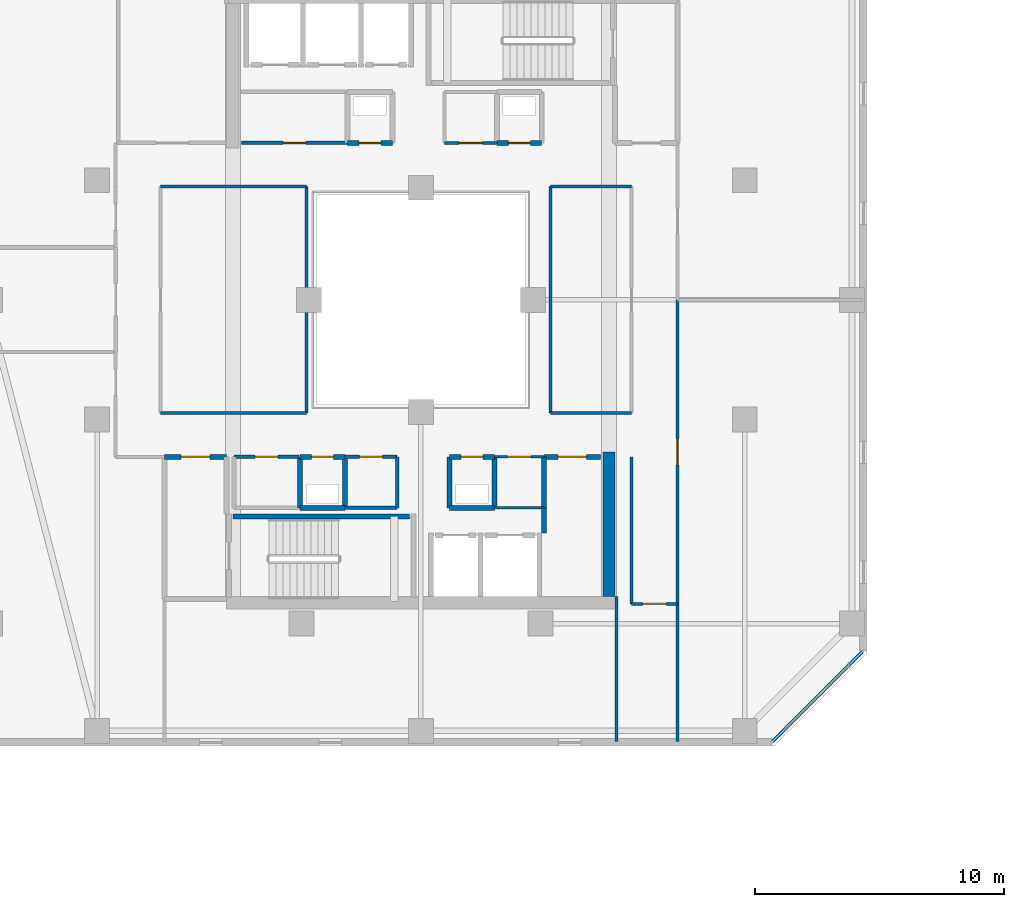
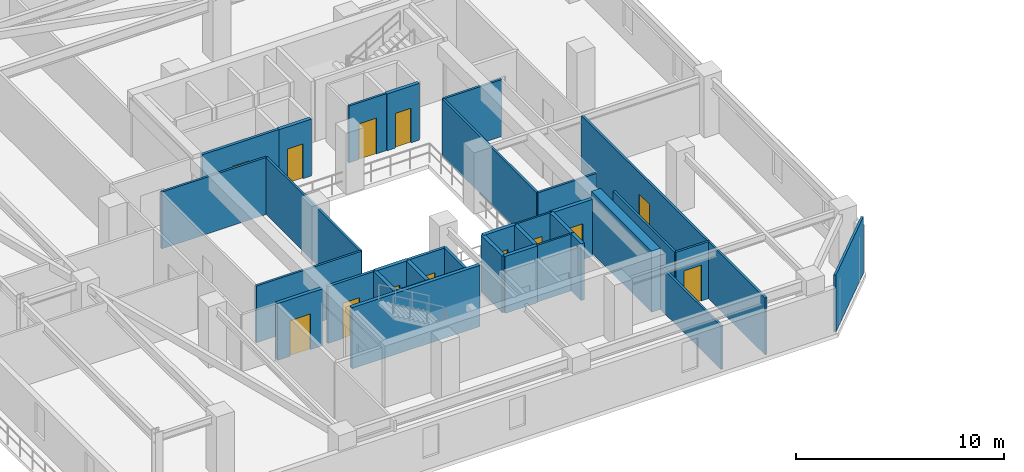
# One storey, part 20 of 33: 36 walls, 13 doors, 13 openings.
"""IFC4 building model written with IfcOpenShell, lengths in metres."""

from ifc_helpers import new_model, si_unit, direction, frame, frame_2d, origin, place, context, subcontext, project, spatial, rectangle, extrude, material, layer, layer_set, type_object, element, fill, save


model = new_model("IFC4")

# Units and contexts
model_context = context("Model", 3, precision=1e-05, world=origin(), true_north=direction((0.0, 1.0)))
body_context = subcontext(model_context, "Body", "Model", "MODEL_VIEW")
ifc_project = project(units=[si_unit("LENGTHUNIT", "METRE"), si_unit("AREAUNIT", "SQUARE_METRE"), si_unit("VOLUMEUNIT", "CUBIC_METRE"), si_unit("PLANEANGLEUNIT", "RADIAN"), si_unit("MASSUNIT", "GRAM", prefix="KILO")], contexts=[model_context])

# Site, building, storey
site_placement = place(None, origin())
site = spatial("IfcSite", under=ifc_project, at=site_placement, CompositionType="ELEMENT")
building_placement = place(site_placement, origin())
building = spatial("IfcBuilding", under=site, at=building_placement, Name="Thornwick Lancets Civic Towers", CompositionType="ELEMENT")
storey_placement = place(building_placement, frame((0.0, 0.0, 207.300048828125)))
storey = spatial("IfcBuildingStorey", under=building, at=storey_placement, Name="L55", CompositionType="ELEMENT", Elevation=207.300048828125)

# Wall, opening, door
ifc_material_1 = material(Name="Concrete blockwork C40/50", Category="masonry")
ifc_layer_1 = layer(ifc_material_1, 0.199951171875, Name="Concrete blockwork C40/50")
ifc_layer_set_1 = layer_set([ifc_layer_1], Name="Concrete blockwork C40/50")
wall_type_1 = type_object("IfcWallType", Name="WALL_COMP_200", PredefinedType="STANDARD", material=ifc_layer_set_1)
wall_1_placement = place(storey_placement, frame((17.699951171875, 20.699951171875, 0.0), z_axis=(0.0, 0.0, 1.0), x_axis=(-1.0, 0.0, 0.0)))
wall_1 = element("IfcWall", 1, at=wall_1_placement, inside=storey, type_object=wall_type_1, Name="L55 Partition L55-A-FFLOB1 E3", PredefinedType="STANDARD", context=body_context, shape_type="SweptSolid", body=[
    extrude(rectangle(XDim=2.5, YDim=0.199951171875, at=frame_2d((1.25, 0.0))), origin(), (0.0, 0.0, 1.0), 3.33984375),
])
opening_1_placement = place(wall_1_placement, frame((0.675048828125, 0.0, 0.0)))
opening_1 = element("IfcOpeningElement", 2, at=opening_1_placement, cuts=wall_1, Name="Opening D-L55-2433", PredefinedType="OPENING", context=body_context, shape_type="SweptSolid", body=[
    extrude(rectangle(XDim=1.14990234375, YDim=2.10009765625, at=frame_2d((0.574951171875, 1.050048828125))), frame((0.0, 0.10986328125, 0.0), z_axis=(0.0, -1.0, 0.0), x_axis=(1.0, 0.0, 0.0)), (0.0, 0.0, 1.0), 0.219970703125),
])
ifc_material_2 = material(Name="Glazed fire-resisting steel", Category="steel")
door_type_1 = type_object("IfcDoorType", Name="DOOR_LOBBY_FD60", OperationType="NOTDEFINED", PredefinedType="DOOR", material=ifc_material_2)
door_1_placement = place(opening_1_placement, origin())
door_1 = element("IfcDoor", 3, at=door_1_placement, inside=storey, type_object=door_type_1, Name="L55 South Firefighting Lobby 1 Door", OperationType="SINGLE_SWING_RIGHT", OverallHeight=2.10009765625, OverallWidth=1.14990234375, PredefinedType="DOOR", context=body_context, shape_type="SweptSolid", body=[
    extrude(rectangle(XDim=1.14990234375, YDim=2.10009765625, at=frame_2d((0.574951171875, 1.050048828125))), frame((0.0, 0.02490234375, 0.0), z_axis=(0.0, -1.0, 0.0), x_axis=(1.0, 0.0, 0.0)), (0.0, 0.0, 1.0), 0.050048828125),
])
fill(opening_1, door_1)

# Walls
wall_2_placement = place(storey_placement, frame((26.64990234375, 18.64990234375, 0.0), z_axis=(0.0, 0.0, 1.0), x_axis=(1.0, 0.0, 0.0)))
element("IfcWall", 4, at=wall_2_placement, inside=storey, type_object=wall_type_1, Name="L55 Partition L55-A-DUCT1 E1", PredefinedType="STANDARD", context=body_context, shape_type="SweptSolid", body=[
    extrude(rectangle(XDim=1.800048828125, YDim=0.199951171875, at=frame_2d((0.89990234375, 0.0))), origin(), (0.0, 0.0, 1.0), 3.33984375),
])
wall_3_placement = place(storey_placement, frame((28.449951171875, 18.64990234375, 0.0), z_axis=(0.0, 0.0, 1.0), x_axis=(0.0, 1.0, 0.0)))
element("IfcWall", 5, at=wall_3_placement, inside=storey, type_object=wall_type_1, Name="L55 Partition L55-A-DUCT1 E2", PredefinedType="STANDARD", context=body_context, shape_type="SweptSolid", body=[
    extrude(rectangle(XDim=2.050048828125, YDim=0.199951171875, at=frame_2d((1.02490234375, 0.0))), origin(), (0.0, 0.0, 1.0), 3.33984375),
])

# Wall, opening, door
wall_4_placement = place(storey_placement, frame((28.449951171875, 20.699951171875, 0.0), z_axis=(0.0, 0.0, 1.0), x_axis=(-1.0, 0.0, 0.0)))
wall_4 = element("IfcWall", 6, at=wall_4_placement, inside=storey, type_object=wall_type_1, Name="L55 Partition L55-A-DUCT1 E3", PredefinedType="STANDARD", context=body_context, shape_type="SweptSolid", body=[
    extrude(rectangle(XDim=1.800048828125, YDim=0.199951171875, at=frame_2d((0.89990234375, 0.0))), origin(), (0.0, 0.0, 1.0), 3.33984375),
])
opening_2_placement = place(wall_4_placement, frame((0.4599609375, 0.0, 0.0)))
opening_2 = element("IfcOpeningElement", 7, at=opening_2_placement, cuts=wall_4, Name="Opening D-L55-2435", PredefinedType="OPENING", context=body_context, shape_type="SweptSolid", body=[
    extrude(rectangle(XDim=0.8798828125, YDim=2.0400390625, at=frame_2d((0.43994140625, 1.02001953125))), frame((0.0, 0.10986328125, 0.0), z_axis=(0.0, -1.0, 0.0), x_axis=(1.0, 0.0, 0.0)), (0.0, 0.0, 1.0), 0.219970703125),
])
ifc_material_3 = material(Name="Steel riser access doorset", Category="steel")
door_type_2 = type_object("IfcDoorType", Name="DOOR_RISER_850", OperationType="NOTDEFINED", PredefinedType="DOOR", material=ifc_material_3)
door_2_placement = place(opening_2_placement, origin())
door_2 = element("IfcDoor", 8, at=door_2_placement, inside=storey, type_object=door_type_2, Name="L55 South Service Duct 1 Door", OperationType="SINGLE_SWING_RIGHT", OverallHeight=2.0400390625, OverallWidth=0.8798828125, PredefinedType="DOOR", context=body_context, shape_type="SweptSolid", body=[
    extrude(rectangle(XDim=0.8798828125, YDim=2.0400390625, at=frame_2d((0.43994140625, 1.02001953125))), frame((0.0, 0.02490234375, 0.0), z_axis=(0.0, -1.0, 0.0), x_axis=(1.0, 0.0, 0.0)), (0.0, 0.0, 1.0), 0.050048828125),
])
fill(opening_2, door_2)

# Walls
wall_5_placement = place(storey_placement, frame((26.64990234375, 20.699951171875, 0.0), z_axis=(0.0, 0.0, 1.0), x_axis=(0.0, -1.0, 0.0)))
element("IfcWall", 9, at=wall_5_placement, inside=storey, type_object=wall_type_1, Name="L55 Partition L55-A-DUCT1 E4", PredefinedType="STANDARD", context=body_context, shape_type="SweptSolid", body=[
    extrude(rectangle(XDim=2.050048828125, YDim=0.199951171875, at=frame_2d((1.02490234375, 0.0))), origin(), (0.0, 0.0, 1.0), 3.33984375),
])
wall_6_placement = place(storey_placement, frame((20.64990234375, 18.64990234375, 0.0), z_axis=(0.0, 0.0, 1.0), x_axis=(1.0, 0.0, 0.0)))
element("IfcWall", 10, at=wall_6_placement, inside=storey, type_object=wall_type_1, Name="L55 Partition L55-A-RISER1 E1", PredefinedType="STANDARD", context=body_context, shape_type="SweptSolid", body=[
    extrude(rectangle(XDim=1.800048828125, YDim=0.199951171875, at=frame_2d((0.89990234375, 0.0))), origin(), (0.0, 0.0, 1.0), 3.33984375),
])
wall_7_placement = place(storey_placement, frame((22.449951171875, 18.64990234375, 0.0), z_axis=(0.0, 0.0, 1.0), x_axis=(0.0, 1.0, 0.0)))
element("IfcWall", 11, at=wall_7_placement, inside=storey, type_object=wall_type_1, Name="L55 Partition L55-A-RISER1 E2", PredefinedType="STANDARD", context=body_context, shape_type="SweptSolid", body=[
    extrude(rectangle(XDim=2.050048828125, YDim=0.199951171875, at=frame_2d((1.02490234375, 0.0))), origin(), (0.0, 0.0, 1.0), 3.33984375),
])

# Wall, opening, door
wall_8_placement = place(storey_placement, frame((22.449951171875, 20.699951171875, 0.0), z_axis=(0.0, 0.0, 1.0), x_axis=(-1.0, 0.0, 0.0)))
wall_8 = element("IfcWall", 12, at=wall_8_placement, inside=storey, type_object=wall_type_1, Name="L55 Partition L55-A-RISER1 E3", PredefinedType="STANDARD", context=body_context, shape_type="SweptSolid", body=[
    extrude(rectangle(XDim=1.800048828125, YDim=0.199951171875, at=frame_2d((0.89990234375, 0.0))), origin(), (0.0, 0.0, 1.0), 3.33984375),
])
opening_3_placement = place(wall_8_placement, frame((0.4599609375, 0.0, 0.0)))
opening_3 = element("IfcOpeningElement", 13, at=opening_3_placement, cuts=wall_8, Name="Opening D-L55-2436", PredefinedType="OPENING", context=body_context, shape_type="SweptSolid", body=[
    extrude(rectangle(XDim=0.8798828125, YDim=2.0400390625, at=frame_2d((0.43994140625, 1.02001953125))), frame((0.0, 0.10986328125, 0.0), z_axis=(0.0, -1.0, 0.0), x_axis=(1.0, 0.0, 0.0)), (0.0, 0.0, 1.0), 0.219970703125),
])
door_3_placement = place(opening_3_placement, origin())
door_3 = element("IfcDoor", 14, at=door_3_placement, inside=storey, type_object=door_type_2, Name="L55 South Electrical Riser 1 Door", OperationType="SINGLE_SWING_LEFT", OverallHeight=2.0400390625, OverallWidth=0.8798828125, PredefinedType="DOOR", context=body_context, shape_type="SweptSolid", body=[
    extrude(rectangle(XDim=0.8798828125, YDim=2.0400390625, at=frame_2d((0.43994140625, 1.02001953125))), frame((0.0, 0.02490234375, 0.0), z_axis=(0.0, -1.0, 0.0), x_axis=(1.0, 0.0, 0.0)), (0.0, 0.0, 1.0), 0.050048828125),
])
fill(opening_3, door_3)

# Wall
wall_9_placement = place(storey_placement, frame((20.64990234375, 20.699951171875, 0.0), z_axis=(0.0, 0.0, 1.0), x_axis=(0.0, -1.0, 0.0)))
element("IfcWall", 15, at=wall_9_placement, inside=storey, type_object=wall_type_1, Name="L55 Partition L55-A-RISER1 E4", PredefinedType="STANDARD", context=body_context, shape_type="SweptSolid", body=[
    extrude(rectangle(XDim=2.050048828125, YDim=0.199951171875, at=frame_2d((1.02490234375, 0.0))), origin(), (0.0, 0.0, 1.0), 3.33984375),
])

# Wall, opening, door
wall_10_placement = place(storey_placement, frame((22.550048828125, 33.300048828125, 0.0), z_axis=(0.0, 0.0, 1.0), x_axis=(1.0, 0.0, 0.0)))
wall_10 = element("IfcWall", 16, at=wall_10_placement, inside=storey, type_object=wall_type_1, Name="L55 Partition L55-A-DUCT2 E1", PredefinedType="STANDARD", context=body_context, shape_type="SweptSolid", body=[
    extrude(rectangle(XDim=1.800048828125, YDim=0.199951171875, at=frame_2d((0.89990234375, 0.0))), origin(), (0.0, 0.0, 1.0), 3.33984375),
])
opening_4_placement = place(wall_10_placement, frame((0.4599609375, 0.0, 0.0)))
opening_4 = element("IfcOpeningElement", 17, at=opening_4_placement, cuts=wall_10, Name="Opening D-L55-2437", PredefinedType="OPENING", context=body_context, shape_type="SweptSolid", body=[
    extrude(rectangle(XDim=0.8798828125, YDim=2.0400390625, at=frame_2d((0.43994140625, 1.02001953125))), frame((0.0, 0.10986328125, 0.0), z_axis=(0.0, -1.0, 0.0), x_axis=(1.0, 0.0, 0.0)), (0.0, 0.0, 1.0), 0.219970703125),
])
door_4_placement = place(opening_4_placement, origin())
door_4 = element("IfcDoor", 18, at=door_4_placement, inside=storey, type_object=door_type_2, Name="L55 North Service Duct 2 Door", OperationType="SINGLE_SWING_RIGHT", OverallHeight=2.0400390625, OverallWidth=0.8798828125, PredefinedType="DOOR", context=body_context, shape_type="SweptSolid", body=[
    extrude(rectangle(XDim=0.8798828125, YDim=2.0400390625, at=frame_2d((0.43994140625, 1.02001953125))), frame((0.0, 0.02490234375, 0.0), z_axis=(0.0, -1.0, 0.0), x_axis=(1.0, 0.0, 0.0)), (0.0, 0.0, 1.0), 0.050048828125),
])
fill(opening_4, door_4)

wall_11_placement = place(storey_placement, frame((28.550048828125, 33.300048828125, 0.0), z_axis=(0.0, 0.0, 1.0), x_axis=(1.0, 0.0, 0.0)))
wall_11 = element("IfcWall", 19, at=wall_11_placement, inside=storey, type_object=wall_type_1, Name="L55 Partition L55-A-RISER2 E1", PredefinedType="STANDARD", context=body_context, shape_type="SweptSolid", body=[
    extrude(rectangle(XDim=1.800048828125, YDim=0.199951171875, at=frame_2d((0.89990234375, 0.0))), origin(), (0.0, 0.0, 1.0), 3.33984375),
])
opening_5_placement = place(wall_11_placement, frame((0.4599609375, 0.0, 0.0)))
opening_5 = element("IfcOpeningElement", 20, at=opening_5_placement, cuts=wall_11, Name="Opening D-L55-2438", PredefinedType="OPENING", context=body_context, shape_type="SweptSolid", body=[
    extrude(rectangle(XDim=0.8798828125, YDim=2.0400390625, at=frame_2d((0.43994140625, 1.02001953125))), frame((0.0, 0.10986328125, 0.0), z_axis=(0.0, -1.0, 0.0), x_axis=(1.0, 0.0, 0.0)), (0.0, 0.0, 1.0), 0.219970703125),
])
door_5_placement = place(opening_5_placement, origin())
door_5 = element("IfcDoor", 21, at=door_5_placement, inside=storey, type_object=door_type_2, Name="L55 North Service Riser 2 Door", OperationType="SINGLE_SWING_LEFT", OverallHeight=2.0400390625, OverallWidth=0.8798828125, PredefinedType="DOOR", context=body_context, shape_type="SweptSolid", body=[
    extrude(rectangle(XDim=0.8798828125, YDim=2.0400390625, at=frame_2d((0.43994140625, 1.02001953125))), frame((0.0, 0.02490234375, 0.0), z_axis=(0.0, -1.0, 0.0), x_axis=(1.0, 0.0, 0.0)), (0.0, 0.0, 1.0), 0.050048828125),
])
fill(opening_5, door_5)

# Walls
wall_12_placement = place(storey_placement, frame((30.449951171875, 17.64794921875, 0.0), z_axis=(0.0, 0.0, 1.0), x_axis=(0.0, 1.0, 0.0)))
element("IfcWall", 22, at=wall_12_placement, inside=storey, type_object=wall_type_1, Name="L55 Partition L55-A-ITR2 E3", PredefinedType="STANDARD", context=body_context, shape_type="SweptSolid", body=[
    extrude(rectangle(XDim=1.001953125, YDim=0.199951171875, at=frame_2d((0.5009765625, 0.0))), origin(), (0.0, 0.0, 1.0), 3.33984375),
])
wall_13_placement = place(storey_placement, frame((30.449951171875, 18.64990234375, 0.0), z_axis=(0.0, 0.0, 1.0), x_axis=(0.0, 1.0, 0.0)))
element("IfcWall", 23, at=wall_13_placement, inside=storey, type_object=wall_type_1, Name="L55 Partition L55-A-ITR2 E4", PredefinedType="STANDARD", context=body_context, shape_type="SweptSolid", body=[
    extrude(rectangle(XDim=2.050048828125, YDim=0.199951171875, at=frame_2d((1.02490234375, 0.0))), origin(), (0.0, 0.0, 1.0), 3.33984375),
])

# Wall, opening, door
wall_14_placement = place(storey_placement, frame((30.449951171875, 20.699951171875, 0.0), z_axis=(0.0, 0.0, 1.0), x_axis=(1.0, 0.0, 0.0)))
wall_14 = element("IfcWall", 24, at=wall_14_placement, inside=storey, type_object=wall_type_1, Name="L55 Partition L55-A-ITR2 E5", PredefinedType="STANDARD", context=body_context, shape_type="SweptSolid", body=[
    extrude(rectangle(XDim=2.25, YDim=0.199951171875, at=frame_2d((1.125, 0.0))), origin(), (0.0, 0.0, 1.0), 3.33984375),
])
opening_6_placement = place(wall_14_placement, frame((0.550048828125, 0.0, 0.0)))
opening_6 = element("IfcOpeningElement", 25, at=opening_6_placement, cuts=wall_14, Name="Opening D-L55-2442", PredefinedType="OPENING", context=body_context, shape_type="SweptSolid", body=[
    extrude(rectangle(XDim=1.14990234375, YDim=2.10009765625, at=frame_2d((0.574951171875, 1.050048828125))), frame((0.0, 0.10986328125, 0.0), z_axis=(0.0, -1.0, 0.0), x_axis=(1.0, 0.0, 0.0)), (0.0, 0.0, 1.0), 0.219970703125),
])
door_6_placement = place(opening_6_placement, origin())
door_6 = element("IfcDoor", 26, at=door_6_placement, inside=storey, type_object=door_type_1, Name="L55 Tower A Statutory Core Archive Door", OperationType="SINGLE_SWING_LEFT", OverallHeight=2.10009765625, OverallWidth=1.14990234375, PredefinedType="DOOR", context=body_context, shape_type="SweptSolid", body=[
    extrude(rectangle(XDim=1.14990234375, YDim=2.10009765625, at=frame_2d((0.574951171875, 1.050048828125))), frame((0.0, 0.02490234375, 0.0), z_axis=(0.0, -1.0, 0.0), x_axis=(1.0, 0.0, 0.0)), (0.0, 0.0, 1.0), 0.050048828125),
])
fill(opening_6, door_6)

# Walls
ifc_material_4 = material(Name="Concrete C50/60", Category="concrete")
ifc_layer_2 = layer(ifc_material_4, 0.5, Name="Concrete C50/60")
ifc_layer_set_2 = layer_set([ifc_layer_2], Name="Concrete C50/60")
wall_type_2 = type_object("IfcWallType", Name="WALL_CORE_500", PredefinedType="SHEAR", material=ifc_layer_set_2)
wall_15_placement = place(storey_placement, frame((33.050048828125, 15.10009765625, 0.0), z_axis=(0.0, 0.0, 1.0), x_axis=(0.0, 1.0, 0.0)))
element("IfcWall", 27, at=wall_15_placement, inside=storey, type_object=wall_type_2, Name="L55 Split Core A1 Shear Wall E", PredefinedType="SHEAR", context=body_context, shape_type="SweptSolid", body=[
    extrude(rectangle(XDim=5.7998046875, YDim=0.5, at=frame_2d((2.89990234375, 0.0))), origin(), (0.0, 0.0, 1.0), 3.599853515625),
])
ifc_material_5 = material(Name="Lightweight cellular office partition")
ifc_layer_3 = layer(ifc_material_5, 0.10009765625, Name="Lightweight cellular office partition")
ifc_layer_set_3 = layer_set([ifc_layer_3], Name="Lightweight cellular office partition")
wall_type_3 = type_object("IfcWallType", Name="WALL_PART_100", PredefinedType="PARTITIONING", material=ifc_layer_set_3)
wall_16_placement = place(storey_placement, frame((30.449951171875, 18.64990234375, 0.0), z_axis=(0.0, 0.0, 1.0), x_axis=(-1.0, 0.0, 0.0)))
element("IfcWall", 28, at=wall_16_placement, inside=storey, type_object=wall_type_3, Name="L55 Partition L55-A-CLN E2", PredefinedType="PARTITIONING", context=body_context, shape_type="SweptSolid", body=[
    extrude(rectangle(XDim=2.0, YDim=0.10009765625, at=frame_2d((1.0, 0.0))), origin(), (0.0, 0.0, 1.0), 3.33984375),
])

# Wall, opening, door
wall_17_placement = place(storey_placement, frame((28.449951171875, 20.699951171875, 0.0), z_axis=(0.0, 0.0, 1.0), x_axis=(1.0, 0.0, 0.0)))
wall_17 = element("IfcWall", 29, at=wall_17_placement, inside=storey, type_object=wall_type_3, Name="L55 Partition L55-A-CLN E4", PredefinedType="PARTITIONING", context=body_context, shape_type="SweptSolid", body=[
    extrude(rectangle(XDim=2.0, YDim=0.10009765625, at=frame_2d((1.0, 0.0))), origin(), (0.0, 0.0, 1.0), 3.33984375),
])
opening_7_placement = place(wall_17_placement, frame((0.52490234375, 0.0, 0.0)))
opening_7 = element("IfcOpeningElement", 30, at=opening_7_placement, cuts=wall_17, Name="Opening D-L55-2441", PredefinedType="OPENING", context=body_context, shape_type="SweptSolid", body=[
    extrude(rectangle(XDim=0.949951171875, YDim=2.10009765625, at=frame_2d((0.47509765625, 1.050048828125))), frame((0.0, 0.06005859375, 0.0), z_axis=(0.0, -1.0, 0.0), x_axis=(1.0, 0.0, 0.0)), (0.0, 0.0, 1.0), 0.1201171875),
])
ifc_material_6 = material(Name="European oak acoustic doorset")
door_type_3 = type_object("IfcDoorType", Name="DOOR_OFFICE_950", OperationType="NOTDEFINED", PredefinedType="DOOR", material=ifc_material_6)
door_7_placement = place(opening_7_placement, origin())
door_7 = element("IfcDoor", 31, at=door_7_placement, inside=storey, type_object=door_type_3, Name="L55 Tower A Cleaners Store Door", OperationType="SINGLE_SWING_RIGHT", OverallHeight=2.10009765625, OverallWidth=0.949951171875, PredefinedType="DOOR", context=body_context, shape_type="SweptSolid", body=[
    extrude(rectangle(XDim=0.949951171875, YDim=2.10009765625, at=frame_2d((0.47509765625, 1.050048828125))), frame((0.0, 0.02490234375, 0.0), z_axis=(0.0, -1.0, 0.0), x_axis=(1.0, 0.0, 0.0)), (0.0, 0.0, 1.0), 0.050048828125),
])
fill(opening_7, door_7)

ifc_material_7 = material(Name="Acoustic gypsum board partition")
ifc_layer_4 = layer(ifc_material_7, 0.1201171875, Name="Acoustic gypsum board partition")
ifc_layer_set_4 = layer_set([ifc_layer_4], Name="Acoustic gypsum board partition")
wall_type_4 = type_object("IfcWallType", Name="WALL_PART_120", PredefinedType="PARTITIONING", material=ifc_layer_set_4)
wall_18_placement = place(storey_placement, frame((28.550048828125, 33.300048828125, 0.0), z_axis=(0.0, 0.0, 1.0), x_axis=(-1.0, 0.0, 0.0)))
wall_18 = element("IfcWall", 32, at=wall_18_placement, inside=storey, type_object=wall_type_4, Name="L55 Partition L55-A-ITR E4", PredefinedType="PARTITIONING", context=body_context, shape_type="SweptSolid", body=[
    extrude(rectangle(XDim=2.10009765625, YDim=0.1201171875, at=frame_2d((1.050048828125, 0.0))), origin(), (0.0, 0.0, 1.0), 3.33984375),
])
opening_8_placement = place(wall_18_placement, frame((0.574951171875, 0.0, 0.0)))
opening_8 = element("IfcOpeningElement", 33, at=opening_8_placement, cuts=wall_18, Name="Opening D-L55-2444", PredefinedType="OPENING", context=body_context, shape_type="SweptSolid", body=[
    extrude(rectangle(XDim=0.949951171875, YDim=2.10009765625, at=frame_2d((0.47509765625, 1.050048828125))), frame((0.0, 0.070068359375, 0.0), z_axis=(0.0, -1.0, 0.0), x_axis=(1.0, 0.0, 0.0)), (0.0, 0.0, 1.0), 0.14013671875),
])
door_8_placement = place(opening_8_placement, origin())
door_8 = element("IfcDoor", 34, at=door_8_placement, inside=storey, type_object=door_type_3, Name="L55 Tower A Comms Patch Room Door", OperationType="SINGLE_SWING_LEFT", OverallHeight=2.10009765625, OverallWidth=0.949951171875, PredefinedType="DOOR", context=body_context, shape_type="SweptSolid", body=[
    extrude(rectangle(XDim=0.949951171875, YDim=2.10009765625, at=frame_2d((0.47509765625, 1.050048828125))), frame((0.0, 0.02490234375, 0.0), z_axis=(0.0, -1.0, 0.0), x_axis=(1.0, 0.0, 0.0)), (0.0, 0.0, 1.0), 0.050048828125),
])
fill(opening_8, door_8)

# Wall
wall_19_placement = place(storey_placement, frame((33.949951171875, 20.699951171875, 0.0), z_axis=(0.0, 0.0, 1.0), x_axis=(0.0, -1.0, 0.0)))
element("IfcWall", 35, at=wall_19_placement, inside=storey, type_object=wall_type_4, Name="L55 Partition L55-A-RECLAIM-L E2", PredefinedType="PARTITIONING", context=body_context, shape_type="SweptSolid", body=[
    extrude(rectangle(XDim=5.89990234375, YDim=0.1201171875, at=frame_2d((2.949951171875, 0.0))), origin(), (0.0, 0.0, 1.0), 3.33984375),
])

# Wall, opening, door
wall_20_placement = place(storey_placement, frame((33.949951171875, 14.800048828125, 0.0), z_axis=(0.0, 0.0, 1.0), x_axis=(1.0, 0.0, 0.0)))
wall_20 = element("IfcWall", 36, at=wall_20_placement, inside=storey, type_object=wall_type_4, Name="L55 Partition L55-A-RECLAIM-L E3", PredefinedType="PARTITIONING", context=body_context, shape_type="SweptSolid", body=[
    extrude(rectangle(XDim=1.85009765625, YDim=0.1201171875, at=frame_2d((0.925048828125, 0.0))), origin(), (0.0, 0.0, 1.0), 3.33984375),
])
opening_9_placement = place(wall_20_placement, frame((0.449951171875, 0.0, 0.0)))
opening_9 = element("IfcOpeningElement", 37, at=opening_9_placement, cuts=wall_20, Name="Opening D-L55-2457", PredefinedType="OPENING", context=body_context, shape_type="SweptSolid", body=[
    extrude(rectangle(XDim=0.949951171875, YDim=2.10009765625, at=frame_2d((0.47509765625, 1.050048828125))), frame((0.0, 0.070068359375, 0.0), z_axis=(0.0, -1.0, 0.0), x_axis=(1.0, 0.0, 0.0)), (0.0, 0.0, 1.0), 0.14013671875),
])
door_9_placement = place(opening_9_placement, origin())
door_9 = element("IfcDoor", 38, at=door_9_placement, inside=storey, type_object=door_type_3, Name="L55 Tower A Parliamentary Drafting Library Door", OperationType="SINGLE_SWING_RIGHT", OverallHeight=2.10009765625, OverallWidth=0.949951171875, PredefinedType="DOOR", context=body_context, shape_type="SweptSolid", body=[
    extrude(rectangle(XDim=0.949951171875, YDim=2.10009765625, at=frame_2d((0.47509765625, 1.050048828125))), frame((0.0, 0.02490234375, 0.0), z_axis=(0.0, -1.0, 0.0), x_axis=(1.0, 0.0, 0.0)), (0.0, 0.0, 1.0), 0.050048828125),
])
fill(opening_9, door_9)

# Walls
wall_21_placement = place(storey_placement, frame((35.800048828125, 14.800048828125, 0.0), z_axis=(0.0, 0.0, 1.0), x_axis=(0.0, -1.0, 0.0)))
element("IfcWall", 39, at=wall_21_placement, inside=storey, type_object=wall_type_4, Name="L55 Partition L55-A-RECLAIM-L E4", PredefinedType="PARTITIONING", context=body_context, shape_type="SweptSolid", body=[
    extrude(rectangle(XDim=5.52001953125, YDim=0.1201171875, at=frame_2d((2.760009765625, 0.0))), origin(), (0.0, 0.0, 1.0), 3.33984375),
])
wall_22_placement = place(storey_placement, frame((33.35009765625, 9.280029296875, 0.0), z_axis=(0.0, 0.0, 1.0), x_axis=(0.0, 1.0, 0.0)))
element("IfcWall", 40, at=wall_22_placement, inside=storey, type_object=wall_type_4, Name="L55 Partition L55-A-RECLAIM-L E6", PredefinedType="PARTITIONING", context=body_context, shape_type="SweptSolid", body=[
    extrude(rectangle(XDim=5.820068359375, YDim=0.1201171875, at=frame_2d((2.91015625, 0.0))), origin(), (0.0, 0.0, 1.0), 2.544921875),
])
wall_23_placement = place(storey_placement, frame((15.050048828125, 31.550048828125, 0.0), z_axis=(0.0, 0.0, 1.0), x_axis=(1.0, 0.0, 0.0)))
element("IfcWall", 41, at=wall_23_placement, inside=storey, type_object=wall_type_4, Name="L55 Partition L55-A-W3 E2", PredefinedType="PARTITIONING", context=body_context, shape_type="SweptSolid", body=[
    extrude(rectangle(XDim=5.849853515625, YDim=0.1201171875, at=frame_2d((2.9248046875, 0.0))), origin(), (0.0, 0.0, 1.0), 3.33984375),
])
wall_24_placement = place(storey_placement, frame((20.89990234375, 31.550048828125, 0.0), z_axis=(0.0, 0.0, 1.0), x_axis=(0.0, -1.0, 0.0)))
element("IfcWall", 42, at=wall_24_placement, inside=storey, type_object=wall_type_4, Name="L55 Partition L55-A-W3 E3", PredefinedType="PARTITIONING", context=body_context, shape_type="SweptSolid", body=[
    extrude(rectangle(XDim=9.10009765625, YDim=0.1201171875, at=frame_2d((4.550048828125, 0.0))), origin(), (0.0, 0.0, 1.0), 3.33984375),
])
wall_25_placement = place(storey_placement, frame((20.89990234375, 22.449951171875, 0.0), z_axis=(0.0, 0.0, 1.0), x_axis=(-1.0, 0.0, 0.0)))
element("IfcWall", 43, at=wall_25_placement, inside=storey, type_object=wall_type_4, Name="L55 Partition L55-A-W3 E4", PredefinedType="PARTITIONING", context=body_context, shape_type="SweptSolid", body=[
    extrude(rectangle(XDim=5.849853515625, YDim=0.1201171875, at=frame_2d((2.9248046875, 0.0))), origin(), (0.0, 0.0, 1.0), 3.33984375),
])

# Wall, opening, door
wall_26_placement = place(storey_placement, frame((35.800048828125, 14.800048828125, 0.0), z_axis=(0.0, 0.0, 1.0), x_axis=(0.0, 1.0, 0.0)))
wall_26 = element("IfcWall", 44, at=wall_26_placement, inside=storey, type_object=wall_type_4, Name="L55 Partition L55-A-E1 E3", PredefinedType="PARTITIONING", context=body_context, shape_type="SweptSolid", body=[
    extrude(rectangle(XDim=12.199951171875, YDim=0.1201171875, at=frame_2d((6.10009765625, 0.0))), origin(), (0.0, 0.0, 1.0), 3.33984375),
])
opening_10_placement = place(wall_26_placement, frame((5.574951171875, 0.0, 0.0)))
opening_10 = element("IfcOpeningElement", 45, at=opening_10_placement, cuts=wall_26, Name="Opening D-L55-2463", PredefinedType="OPENING", context=body_context, shape_type="SweptSolid", body=[
    extrude(rectangle(XDim=1.050048828125, YDim=2.10009765625, at=frame_2d((0.52490234375, 1.050048828125))), frame((0.0, 0.070068359375, 0.0), z_axis=(0.0, -1.0, 0.0), x_axis=(1.0, 0.0, 0.0)), (0.0, 0.0, 1.0), 0.14013671875),
])
ifc_material_8 = material(Name="Glazed European oak executive doorset")
door_type_4 = type_object("IfcDoorType", Name="DOOR_OFFICE_1050", OperationType="NOTDEFINED", PredefinedType="DOOR", material=ifc_material_8)
door_10_placement = place(opening_10_placement, origin())
door_10 = element("IfcDoor", 46, at=door_10_placement, inside=storey, type_object=door_type_4, Name="L55 Tower A Secretariat Open Office E1 Door", OperationType="SINGLE_SWING_RIGHT", OverallHeight=2.10009765625, OverallWidth=1.050048828125, PredefinedType="DOOR", context=body_context, shape_type="SweptSolid", body=[
    extrude(rectangle(XDim=1.050048828125, YDim=2.10009765625, at=frame_2d((0.52490234375, 1.050048828125))), frame((0.0, 0.02490234375, 0.0), z_axis=(0.0, -1.0, 0.0), x_axis=(1.0, 0.0, 0.0)), (0.0, 0.0, 1.0), 0.050048828125),
])
fill(opening_10, door_10)

# Walls
wall_27_placement = place(storey_placement, frame((43.219970703125, 12.882568359375, 0.0), z_axis=(0.0, 0.0, 1.0), x_axis=(-0.707106781187, -0.707106781187, 0.0)))
element("IfcWall", 47, at=wall_27_placement, inside=storey, type_object=wall_type_4, Name="L55 Partition L55-A-E1 E6", PredefinedType="PARTITIONING", context=body_context, shape_type="SweptSolid", body=[
    extrude(rectangle(XDim=5.0947265625, YDim=0.1201171875, at=frame_2d((2.54736328125, 0.0))), origin(), (0.0, 0.0, 1.0), 3.33984375),
])
wall_28_placement = place(storey_placement, frame((30.699951171875, 22.449951171875, 0.0), z_axis=(0.0, 0.0, 1.0), x_axis=(0.0, 1.0, 0.0)))
element("IfcWall", 48, at=wall_28_placement, inside=storey, type_object=wall_type_4, Name="L55 Partition L55-A-E-ATRIUM-OFF E1", PredefinedType="PARTITIONING", context=body_context, shape_type="SweptSolid", body=[
    extrude(rectangle(XDim=9.10009765625, YDim=0.1201171875, at=frame_2d((4.550048828125, 0.0))), origin(), (0.0, 0.0, 1.0), 3.33984375),
])
for number, where, z_axis, x_axis, name in (
    (49, (30.699951171875, 31.550048828125, 0.0), (0.0, 0.0, 1.0), (1.0, 0.0, 0.0), "L55 Partition L55-A-E-ATRIUM-OFF E2"),
    (50, (33.949951171875, 22.449951171875, 0.0), (0.0, 0.0, 1.0), (-1.0, 0.0, 0.0), "L55 Partition L55-A-E-ATRIUM-OFF E4"),
):
    element("IfcWall", number, at=place(storey_placement, frame(where, z_axis=z_axis, x_axis=x_axis)), inside=storey, type_object=wall_type_4, Name=name, PredefinedType="PARTITIONING", context=body_context, shape_type="SweptSolid", body=[
        extrude(rectangle(XDim=3.25, YDim=0.1201171875, at=frame_2d((1.625, 0.0))), origin(), (0.0, 0.0, 1.0), 3.33984375),
    ])

# Wall, opening, door
ifc_material_9 = material(Name="Twin-stud acoustic gypsum board")
ifc_layer_5 = layer(ifc_material_9, 0.14990234375, Name="Twin-stud acoustic gypsum board")
ifc_layer_set_5 = layer_set([ifc_layer_5], Name="Twin-stud acoustic gypsum board")
wall_type_5 = type_object("IfcWallType", Name="WALL_PART_150", PredefinedType="PARTITIONING", material=ifc_layer_set_5)
wall_29_placement = place(storey_placement, frame((20.60009765625, 20.699951171875, 0.0), z_axis=(0.0, 0.0, 1.0), x_axis=(-1.0, 0.0, 0.0)))
wall_29 = element("IfcWall", 51, at=wall_29_placement, inside=storey, type_object=wall_type_5, Name="L55 Partition L55-A-MWC E3", PredefinedType="PARTITIONING", context=body_context, shape_type="SweptSolid", body=[
    extrude(rectangle(XDim=2.60009765625, YDim=0.14990234375, at=frame_2d((1.300048828125, 0.0))), origin(), (0.0, 0.0, 1.0), 3.33984375),
])
opening_11_placement = place(wall_29_placement, frame((0.840087890625, 0.0, 0.0)))
opening_11 = element("IfcOpeningElement", 52, at=opening_11_placement, cuts=wall_29, Name="Opening D-L55-2439", PredefinedType="OPENING", context=body_context, shape_type="SweptSolid", body=[
    extrude(rectangle(XDim=0.919921875, YDim=2.080078125, at=frame_2d((0.4599609375, 1.0400390625))), frame((0.0, 0.0849609375, 0.0), z_axis=(0.0, -1.0, 0.0), x_axis=(1.0, 0.0, 0.0)), (0.0, 0.0, 1.0), 0.169921875),
])
ifc_material_10 = material(Name="Moisture-resistant oak doorset")
door_type_5 = type_object("IfcDoorType", Name="DOOR_WC_900", OperationType="NOTDEFINED", PredefinedType="DOOR", material=ifc_material_10)
door_11_placement = place(opening_11_placement, origin())
door_11 = element("IfcDoor", 53, at=door_11_placement, inside=storey, type_object=door_type_5, Name="L55 Tower A Male WC Door", OperationType="SINGLE_SWING_RIGHT", OverallHeight=2.080078125, OverallWidth=0.919921875, PredefinedType="DOOR", context=body_context, shape_type="SweptSolid", body=[
    extrude(rectangle(XDim=0.919921875, YDim=2.080078125, at=frame_2d((0.4599609375, 1.0400390625))), frame((0.0, 0.02490234375, 0.0), z_axis=(0.0, -1.0, 0.0), x_axis=(1.0, 0.0, 0.0)), (0.0, 0.0, 1.0), 0.050048828125),
])
fill(opening_11, door_11)

# Walls
wall_30_placement = place(storey_placement, frame((24.550048828125, 20.699951171875, 0.0), z_axis=(0.0, 0.0, 1.0), x_axis=(0.0, -1.0, 0.0)))
element("IfcWall", 54, at=wall_30_placement, inside=storey, type_object=wall_type_5, Name="L55 Partition L55-A-AWC E1", PredefinedType="PARTITIONING", context=body_context, shape_type="SweptSolid", body=[
    extrude(rectangle(XDim=2.050048828125, YDim=0.14990234375, at=frame_2d((1.02490234375, 0.0))), origin(), (0.0, 0.0, 1.0), 3.33984375),
])
wall_31_placement = place(storey_placement, frame((24.550048828125, 18.64990234375, 0.0), z_axis=(0.0, 0.0, 1.0), x_axis=(-1.0, 0.0, 0.0)))
element("IfcWall", 55, at=wall_31_placement, inside=storey, type_object=wall_type_5, Name="L55 Partition L55-A-AWC E2", PredefinedType="PARTITIONING", context=body_context, shape_type="SweptSolid", body=[
    extrude(rectangle(XDim=2.10009765625, YDim=0.14990234375, at=frame_2d((1.050048828125, 0.0))), origin(), (0.0, 0.0, 1.0), 3.33984375),
])

# Wall, opening, door
wall_32_placement = place(storey_placement, frame((22.449951171875, 20.699951171875, 0.0), z_axis=(0.0, 0.0, 1.0), x_axis=(1.0, 0.0, 0.0)))
wall_32 = element("IfcWall", 56, at=wall_32_placement, inside=storey, type_object=wall_type_5, Name="L55 Partition L55-A-AWC E4", PredefinedType="PARTITIONING", context=body_context, shape_type="SweptSolid", body=[
    extrude(rectangle(XDim=2.10009765625, YDim=0.14990234375, at=frame_2d((1.050048828125, 0.0))), origin(), (0.0, 0.0, 1.0), 3.33984375),
])
opening_12_placement = place(wall_32_placement, frame((0.590087890625, 0.0, 0.0)))
opening_12 = element("IfcOpeningElement", 57, at=opening_12_placement, cuts=wall_32, Name="Opening D-L55-2440", PredefinedType="OPENING", context=body_context, shape_type="SweptSolid", body=[
    extrude(rectangle(XDim=0.919921875, YDim=2.080078125, at=frame_2d((0.4599609375, 1.0400390625))), frame((0.0, 0.0849609375, 0.0), z_axis=(0.0, -1.0, 0.0), x_axis=(1.0, 0.0, 0.0)), (0.0, 0.0, 1.0), 0.169921875),
])
door_12_placement = place(opening_12_placement, origin())
door_12 = element("IfcDoor", 58, at=door_12_placement, inside=storey, type_object=door_type_5, Name="L55 Tower A Accessible WC Door", OperationType="SINGLE_SWING_LEFT", OverallHeight=2.080078125, OverallWidth=0.919921875, PredefinedType="DOOR", context=body_context, shape_type="SweptSolid", body=[
    extrude(rectangle(XDim=0.919921875, YDim=2.080078125, at=frame_2d((0.4599609375, 1.0400390625))), frame((0.0, 0.02490234375, 0.0), z_axis=(0.0, -1.0, 0.0), x_axis=(1.0, 0.0, 0.0)), (0.0, 0.0, 1.0), 0.050048828125),
])
fill(opening_12, door_12)

wall_33_placement = place(storey_placement, frame((22.550048828125, 33.300048828125, 0.0), z_axis=(0.0, 0.0, 1.0), x_axis=(-1.0, 0.0, 0.0)))
wall_33 = element("IfcWall", 59, at=wall_33_placement, inside=storey, type_object=wall_type_5, Name="L55 Partition L55-A-FWC E4", PredefinedType="PARTITIONING", context=body_context, shape_type="SweptSolid", body=[
    extrude(rectangle(XDim=4.25, YDim=0.14990234375, at=frame_2d((2.125, 0.0))), origin(), (0.0, 0.0, 1.0), 3.33984375),
])
opening_13_placement = place(wall_33_placement, frame((1.6650390625, 0.0, 0.0)))
opening_13 = element("IfcOpeningElement", 60, at=opening_13_placement, cuts=wall_33, Name="Opening D-L55-2443", PredefinedType="OPENING", context=body_context, shape_type="SweptSolid", body=[
    extrude(rectangle(XDim=0.919921875, YDim=2.080078125, at=frame_2d((0.4599609375, 1.0400390625))), frame((0.0, 0.0849609375, 0.0), z_axis=(0.0, -1.0, 0.0), x_axis=(1.0, 0.0, 0.0)), (0.0, 0.0, 1.0), 0.169921875),
])
door_13_placement = place(opening_13_placement, origin())
door_13 = element("IfcDoor", 61, at=door_13_placement, inside=storey, type_object=door_type_5, Name="L55 Tower A Female WC Door", OperationType="SINGLE_SWING_RIGHT", OverallHeight=2.080078125, OverallWidth=0.919921875, PredefinedType="DOOR", context=body_context, shape_type="SweptSolid", body=[
    extrude(rectangle(XDim=0.919921875, YDim=2.080078125, at=frame_2d((0.4599609375, 1.0400390625))), frame((0.0, 0.02490234375, 0.0), z_axis=(0.0, -1.0, 0.0), x_axis=(1.0, 0.0, 0.0)), (0.0, 0.0, 1.0), 0.050048828125),
])
fill(opening_13, door_13)

# Wall
ifc_material_11 = material(Name="Concrete C40/50", Category="concrete")
ifc_layer_6 = layer(ifc_material_11, 0.199951171875, Name="Concrete C40/50")
ifc_layer_set_6 = layer_set([ifc_layer_6], Name="Concrete C40/50")
wall_type_6 = type_object("IfcWallType", Name="WALL_SHAFT_200", PredefinedType="SHEAR", material=ifc_layer_set_6)
wall_34_placement = place(storey_placement, frame((25.050048828125, 18.297119140625, 0.0), z_axis=(0.0, 0.0, 1.0), x_axis=(-1.0, 0.0, 0.0)))
element("IfcWall", 62, at=wall_34_placement, inside=storey, type_object=wall_type_6, Name="L55 ST-A1 Fire Stair Core Wall RIGHT", PredefinedType="SHEAR", context=body_context, shape_type="SweptSolid", body=[
    extrude(rectangle(XDim=7.10009765625, YDim=0.199951171875, at=frame_2d((3.550048828125, 0.0))), origin(), (0.0, 0.0, 1.0), 3.599853515625),
])

save(model, "model.ifc")
